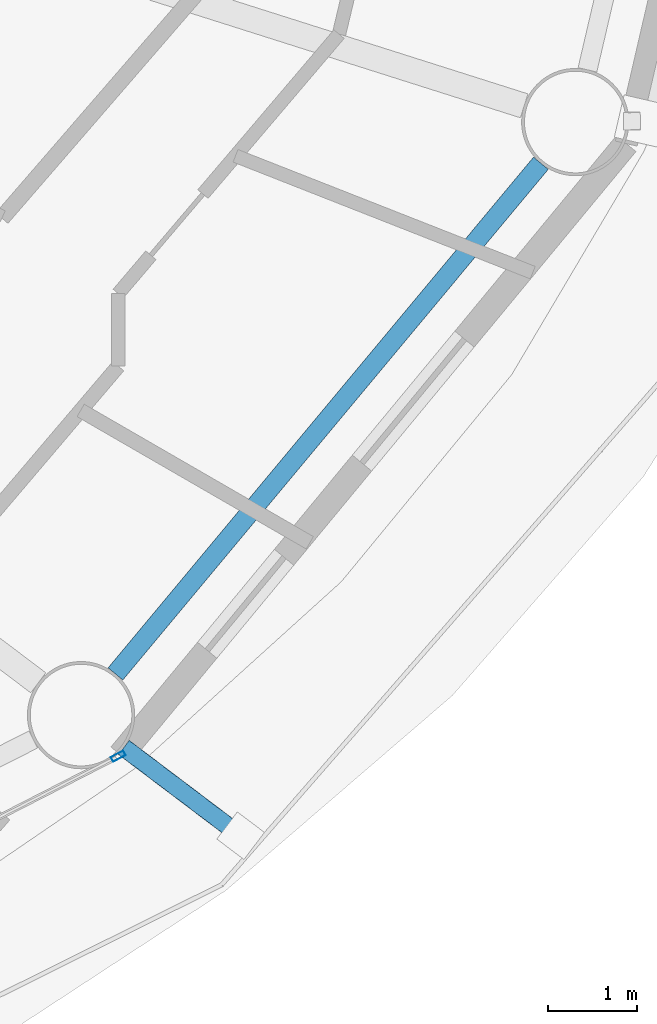
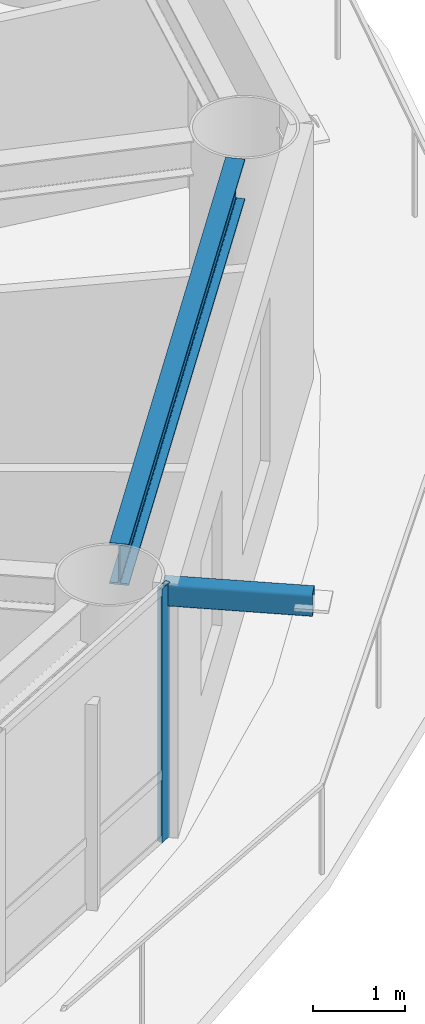
# One storey, part 7 of 27: 2 members, 1 beam, 1 element without a shape of its own.
"""IFC4 building model written with IfcOpenShell, lengths in metres."""

from ifc_helpers import new_model, si_unit, direction, frame, origin, origin_2d, place, context, subcontext, project, spatial, hollow_rectangle, i_section, extrude, material, layer, layer_set, material_profile, profile_set, type_object, element, aggregate, save


model = new_model("IFC4")

# Units and contexts
model_context = context("Model", 3, precision=1e-05, world=origin(), true_north=direction((0.0, 1.0)))
body_context = subcontext(model_context, "Body", "Model", "MODEL_VIEW")
ifc_project = project(units=[si_unit("LENGTHUNIT", "METRE"), si_unit("AREAUNIT", "SQUARE_METRE"), si_unit("VOLUMEUNIT", "CUBIC_METRE"), si_unit("PLANEANGLEUNIT", "RADIAN"), si_unit("MASSUNIT", "GRAM", prefix="KILO")], contexts=[model_context])

# Site, building, storey
site_placement = place(None, origin())
site = spatial("IfcSite", under=ifc_project, at=site_placement, CompositionType="ELEMENT")
building_placement = place(site_placement, origin())
building = spatial("IfcBuilding", under=site, at=building_placement, Name="Sarneth Arch Tower", CompositionType="ELEMENT")
storey_placement = place(building_placement, frame((0.0, 0.0, 193.800048828125)))
storey = spatial("IfcBuildingStorey", under=building, at=storey_placement, Name="L49", CompositionType="ELEMENT", Elevation=193.800048828125)

# Beam
ifc_material_1 = material(Name="Steel S355", Category="steel")
ifc_material_profile_1 = material_profile(ifc_material_1, i_section(OverallWidth=0.214111328125, OverallDepth=0.549072265625, WebThickness=0.0146484375, FlangeThickness=0.023681640625, FilletRadius=0.01806640625, at=origin_2d()), Name="W530x138")
ifc_profile_set_1 = profile_set([ifc_material_profile_1], Name="Steel S355")
beam_type = type_object("IfcBeamType", Name="BM-RAD-530A", PredefinedType="BEAM", material=ifc_profile_set_1)
beam_placement = place(storey_placement, frame((67.517822265625, 28.00048828125, 3.10546875), z_axis=(0.640161793626, 0.768240117399, 0.0), x_axis=(-0.768240117399, 0.640161793626, 0.0)))
element("IfcBeam", 1, at=beam_placement, inside=storey, type_object=beam_type, Name="L49 Perimeter spandrel beam 15", PredefinedType="BEAM", context=body_context, shape_type="SweptSolid", body=[
    extrude(i_section(OverallWidth=0.214111328125, OverallDepth=0.549072265625, WebThickness=0.0146484375, FlangeThickness=0.023681640625, FilletRadius=0.01806640625, at=origin_2d()), origin(), (0.0, 0.0, 1.0), 7.43603515625),
])

# Curtain wall, member
ifc_material_2 = material(Name="Anodised aluminium Type AA25 and solar-control low-e laminated IGU", Category="aluminium")
ifc_layer = layer(ifc_material_2, 0.169921875)
ifc_layer_set = layer_set([ifc_layer], Name="Anodised aluminium Type AA25 and solar-control low-e laminated IGU")
curtain_wall_type = type_object("IfcCurtainWallType", Name="CW-RES-MID", PredefinedType="NOTDEFINED", material=ifc_layer_set)
curtain_wall_placement = place(storey_placement, origin())
curtain_wall = element("IfcCurtainWall", 2, at=curtain_wall_placement, inside=storey, type_object=curtain_wall_type, Name="L49 Unitised curtain wall facet 14", PredefinedType="NOTDEFINED")
ifc_material_3 = material(Name="Anodised Aluminium 6063-T6", Category="aluminium")
ifc_material_profile_2 = material_profile(ifc_material_3, hollow_rectangle(XDim=0.06005859375, YDim=0.159912109375, WallThickness=0.00390625, at=origin_2d()), Name="AL-MULL-160x60x4")
ifc_profile_set_2 = profile_set([ifc_material_profile_2], Name="Anodised Aluminium 6063-T6")
member_type_1 = type_object("IfcMemberType", Name="CW-MULLION", PredefinedType="MULLION", material=ifc_profile_set_2)
member_1_placement = place(storey_placement, frame((67.549560546875, 27.08056640625, 0.0), z_axis=(0.0, 0.0, 1.0), x_axis=(-0.456208470329, 0.88987293003, 0.0)))
member_1 = element("IfcMember", 3, at=member_1_placement, type_object=member_type_1, Name="CW-SYS-5 mullion 4", PredefinedType="MULLION", context=body_context, shape_type="SweptSolid", body=[
    extrude(hollow_rectangle(XDim=0.06005859375, YDim=0.159912109375, WallThickness=0.00390625, at=origin_2d()), origin(), (0.0, 0.0, 1.0), 3.3798828125),
])
aggregate(curtain_wall, [member_1])

# Member
ifc_material_4 = material(Name="Steel S355", Category="steel")
ifc_material_profile_3 = material_profile(ifc_material_4, hollow_rectangle(XDim=0.199951171875, YDim=0.300048828125, WallThickness=0.012451171875, InnerFilletRadius=0.018798828125, OuterFilletRadius=0.03125, at=origin_2d()), Name="RHS300x200x12.5")
ifc_profile_set_3 = profile_set([ifc_material_profile_3], Name="Steel S355")
member_type_2 = type_object("IfcMemberType", Name="MEM-CANT-STRUT", PredefinedType="STRUT", material=ifc_profile_set_3)
member_2_placement = place(storey_placement, frame((67.612548828125, 27.177978515625, 3.219970703125), z_axis=(0.797794013816, -0.602930105003, 0.0), x_axis=(0.602930105003, 0.797794013816, 0.0)))
element("IfcMember", 4, at=member_2_placement, inside=storey, type_object=member_type_2, Name="L49 Balcony cantilever bracket 15", PredefinedType="STRUT", context=body_context, shape_type="SweptSolid", body=[
    extrude(hollow_rectangle(XDim=0.199951171875, YDim=0.300048828125, WallThickness=0.012451171875, InnerFilletRadius=0.018798828125, OuterFilletRadius=0.03125, at=origin_2d()), origin(), (0.0, 0.0, 1.0), 1.637451171875),
])

save(model, "model.ifc")
